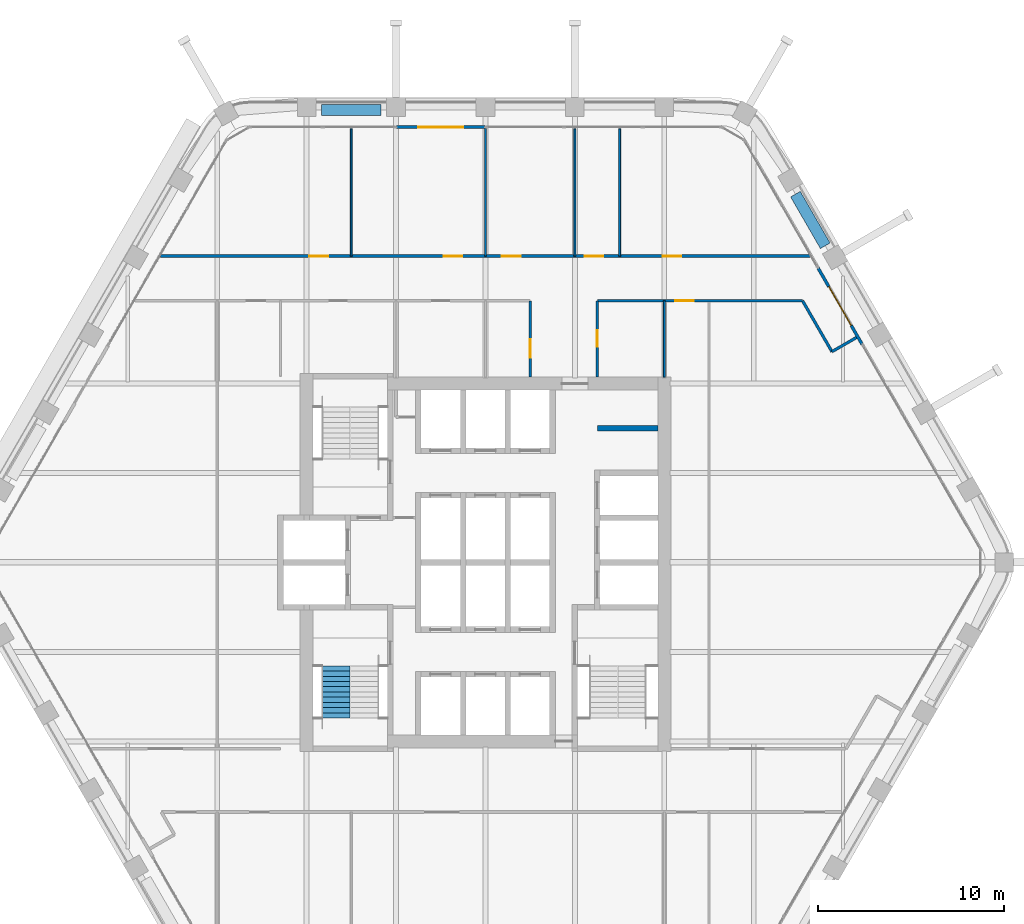
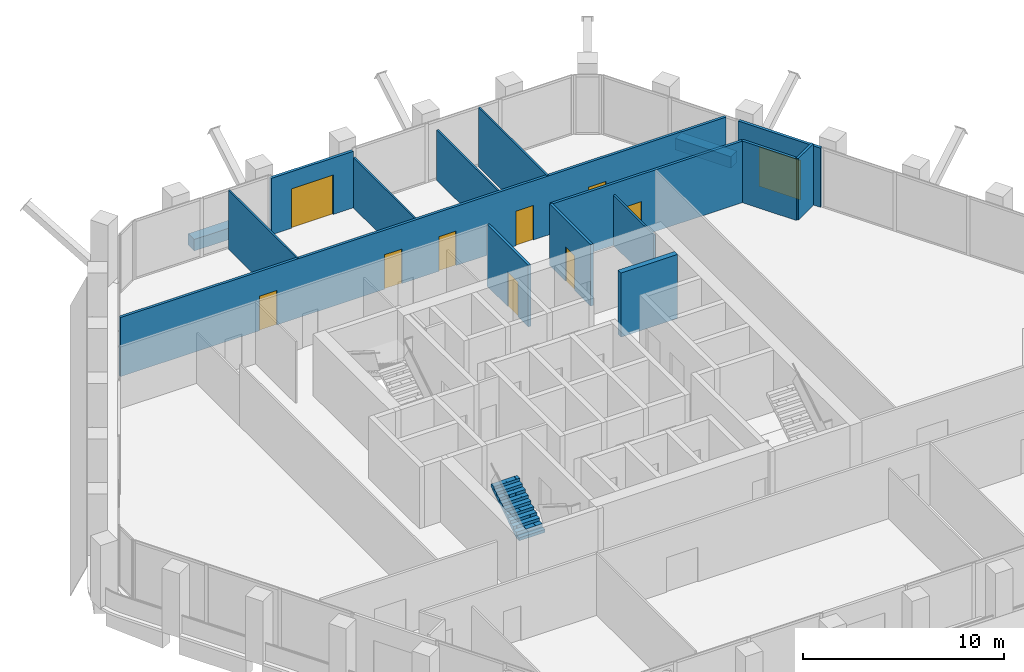
# One storey, part 12 of 16: 16 walls, 10 doors, 1 stair flight, 10 openings, 1 element without a shape of its own.
"""IFC4 building model written with IfcOpenShell, lengths in metres."""

from ifc_helpers import new_model, si_unit, direction, frame, frame_2d, origin, place, context, subcontext, project, spatial, polyline, rectangle, outline, extrude, material, layer, layer_set, type_object, element, fill, aggregate, save


model = new_model("IFC4")

# Units and contexts
model_context = context("Model", 3, precision=1e-05, world=origin(), true_north=direction((0.0, 1.0)))
body_context = subcontext(model_context, "Body", "Model", "MODEL_VIEW")
ifc_project = project(units=[si_unit("LENGTHUNIT", "METRE"), si_unit("AREAUNIT", "SQUARE_METRE"), si_unit("VOLUMEUNIT", "CUBIC_METRE"), si_unit("PLANEANGLEUNIT", "RADIAN"), si_unit("MASSUNIT", "GRAM", prefix="KILO")], contexts=[model_context])

# Site, building, storey
site_placement = place(None, origin())
site = spatial("IfcSite", under=ifc_project, at=site_placement, CompositionType="ELEMENT")
building_placement = place(site_placement, origin())
building = spatial("IfcBuilding", under=site, at=building_placement, Name="Kolab Exchange Tower", CompositionType="ELEMENT")
storey_placement = place(building_placement, frame((0.0, 0.0, 162.199951171875)))
storey = spatial("IfcBuildingStorey", under=building, at=storey_placement, Name="L33", CompositionType="ELEMENT", Elevation=162.199951171875)

# Wall, opening, door
ifc_material_1 = material(Name="Aluminium EN AW-6063 T6", Category="aluminium")
ifc_layer_1 = layer(ifc_material_1, 0.159912109375)
ifc_layer_set_1 = layer_set([ifc_layer_1], Name="Aluminium EN AW-6063 T6")
wall_type_1 = type_object("IfcWallType", Name="DOOR SURROUND WALL 160 ALUMINIUM FRAMED", PredefinedType="PARTITIONING", material=ifc_layer_set_1)
wall_1_placement = place(storey_placement, frame((-4.77001953125, 23.361572265625, 0.0), z_axis=(0.0, 0.0, 1.0), x_axis=(1.0, 0.0, 0.0)))
wall_1 = element("IfcWall", 1, at=wall_1_placement, inside=storey, type_object=wall_type_1, Name="Door surround wall", PredefinedType="PARTITIONING", context=body_context, shape_type="SweptSolid", body=[
    extrude(rectangle(XDim=4.739990234375, YDim=0.159912109375, at=frame_2d((2.3701171875, 0.0))), origin(), (0.0, 0.0, 1.0), 3.43994140625),
])
opening_1_placement = place(wall_1_placement, frame((1.169921875, 0.0, 0.0)))
opening_1 = element("IfcOpeningElement", 2, at=opening_1_placement, cuts=wall_1, Name="Opening GD1-077", PredefinedType="OPENING", context=body_context, shape_type="SweptSolid", body=[
    extrude(rectangle(XDim=2.39990234375, YDim=2.39990234375, at=frame_2d((1.199951171875, 1.199951171875))), frame((0.0, 0.08984375, 0.0), z_axis=(0.0, -1.0, 0.0), x_axis=(1.0, 0.0, 0.0)), (0.0, 0.0, 1.0), 0.179931640625),
])
door_type_1 = type_object("IfcDoorType", Name="LOGGIA SLIDING GLASS DOOR 2400 X 2400", OperationType="DOUBLE_DOOR_SINGLE_SWING", PredefinedType="DOOR", material=ifc_material_1)
door_1_placement = place(opening_1_placement, origin())
door_1 = element("IfcDoor", 3, at=door_1_placement, inside=storey, type_object=door_type_1, Name="Loggia door", OperationType="DOUBLE_DOOR_SLIDING", OverallHeight=2.39990234375, OverallWidth=2.39990234375, PredefinedType="DOOR", context=body_context, shape_type="SweptSolid", body=[
    extrude(rectangle(XDim=2.39990234375, YDim=2.39990234375, at=frame_2d((1.199951171875, 1.199951171875))), frame((0.0, 0.02490234375, 0.0), z_axis=(0.0, -1.0, 0.0), x_axis=(1.0, 0.0, 0.0)), (0.0, 0.0, 1.0), 0.050048828125),
])
fill(opening_1, door_1)

wall_2_placement = place(storey_placement, frame((17.8466796875, 15.811767578125, 0.0), z_axis=(0.0, 0.0, 1.0), x_axis=(0.5000167099, -0.866015756104, 0.0)))
wall_2 = element("IfcWall", 4, at=wall_2_placement, inside=storey, type_object=wall_type_1, Name="Door surround wall", PredefinedType="PARTITIONING", context=body_context, shape_type="SweptSolid", body=[
    extrude(rectangle(XDim=4.739990234375, YDim=0.159912109375, at=frame_2d((2.3701171875, 0.0))), origin(), (0.0, 0.0, 1.0), 3.60009765625),
])
opening_2_placement = place(wall_2_placement, frame((1.169921875, 0.0, 0.0)))
opening_2 = element("IfcOpeningElement", 5, at=opening_2_placement, cuts=wall_2, Name="Opening GD1-071", PredefinedType="OPENING", context=body_context, shape_type="SweptSolid", body=[
    extrude(rectangle(XDim=2.39990234375, YDim=2.39990234375, at=frame_2d((1.199951171875, 1.199951171875))), frame((0.0, 0.08984375, 0.0), z_axis=(0.0, -1.0, 0.0), x_axis=(1.0, 0.0, 0.0)), (0.0, 0.0, 1.0), 0.179931640625),
])
door_2_placement = place(opening_2_placement, origin())
door_2 = element("IfcDoor", 6, at=door_2_placement, inside=storey, type_object=door_type_1, Name="Loggia door", OperationType="DOUBLE_DOOR_SLIDING", OverallHeight=2.39990234375, OverallWidth=2.39990234375, PredefinedType="DOOR", context=body_context, shape_type="SweptSolid", body=[
    extrude(rectangle(XDim=2.39990234375, YDim=2.39990234375, at=frame_2d((1.199951171875, 1.199951171875))), frame((0.0, 0.02490234375, 0.0), z_axis=(0.0, -1.0, 0.0), x_axis=(1.0, 0.0, 0.0)), (0.0, 0.0, 1.0), 0.050048828125),
])
fill(opening_2, door_2)

# Walls
ifc_material_2 = material(Name="Concrete C50/60", Category="concrete")
ifc_layer_2 = layer(ifc_material_2, 0.300048828125)
ifc_layer_set_2 = layer_set([ifc_layer_2], Name="Concrete C50/60")
wall_type_2 = type_object("IfcWallType", Name="LIFT SHAFT WALL 300 C50/60", PredefinedType="STANDARD", material=ifc_layer_set_2)
wall_3_placement = place(storey_placement, frame((6.0, 7.199951171875, -0.14990234375), z_axis=(0.0, 0.0, 1.0), x_axis=(1.0, 0.0, 0.0)))
element("IfcWall", 7, at=wall_3_placement, inside=storey, type_object=wall_type_2, Name="wall/L33/core/030", PredefinedType="STANDARD", context=body_context, shape_type="SweptSolid", body=[
    extrude(rectangle(XDim=3.25, YDim=0.300048828125, at=frame_2d((1.625, 0.0))), origin(), (0.0, 0.0, 1.0), 3.89990234375),
])
ifc_material_3 = material(Name="Gypsum board", Category="gypsum")
ifc_layer_3 = layer(ifc_material_3, 0.10009765625)
ifc_layer_set_3 = layer_set([ifc_layer_3], Name="Gypsum board")
wall_type_3 = type_object("IfcWallType", Name="PARTITION 100", PredefinedType="PARTITIONING", material=ifc_layer_set_3)
wall_4_placement = place(storey_placement, frame((9.60009765625, 9.949951171875, 0.0), z_axis=(0.0, 0.0, 1.0), x_axis=(0.0, 1.0, 0.0)))
element("IfcWall", 8, at=wall_4_placement, inside=storey, type_object=wall_type_3, Name="Partition 003", PredefinedType="PARTITIONING", context=body_context, shape_type="SweptSolid", body=[
    extrude(rectangle(XDim=4.091552734375, YDim=0.10009765625, at=frame_2d((2.0458984375, 0.0))), origin(), (0.0, 0.0, 1.0), 3.066162109375),
])
wall_5_placement = place(storey_placement, frame((7.199951171875, 16.44140625, 0.0), z_axis=(0.0, 0.0, 1.0), x_axis=(0.0, 1.0, 0.0)))
element("IfcWall", 9, at=wall_5_placement, inside=storey, type_object=wall_type_3, Name="Partition 004", PredefinedType="PARTITIONING", context=body_context, shape_type="SweptSolid", body=[
    extrude(rectangle(XDim=6.830078125, YDim=0.10009765625, at=frame_2d((3.4150390625, 0.0))), origin(), (0.0, 0.0, 1.0), 3.60009765625),
])
wall_6_placement = place(storey_placement, frame((4.800048828125, 16.44140625, 0.0), z_axis=(0.0, 0.0, 1.0), x_axis=(0.0, 1.0, 0.0)))
element("IfcWall", 10, at=wall_6_placement, inside=storey, type_object=wall_type_3, Name="Partition 006", PredefinedType="PARTITIONING", context=body_context, shape_type="SweptSolid", body=[
    extrude(rectangle(XDim=6.830078125, YDim=0.10009765625, at=frame_2d((3.4150390625, 0.0))), origin(), (0.0, 0.0, 1.0), 3.066162109375),
])
wall_7_placement = place(storey_placement, frame((0.0, 16.44140625, 0.0), z_axis=(0.0, 0.0, 1.0), x_axis=(0.0, 1.0, 0.0)))
element("IfcWall", 11, at=wall_7_placement, inside=storey, type_object=wall_type_3, Name="Partition 009", PredefinedType="PARTITIONING", context=body_context, shape_type="SweptSolid", body=[
    extrude(rectangle(XDim=6.840087890625, YDim=0.10009765625, at=frame_2d((3.419921875, 0.0))), origin(), (0.0, 0.0, 1.0), 3.066162109375),
])
wall_8_placement = place(storey_placement, frame((-7.199951171875, 16.44140625, 0.0), z_axis=(0.0, 0.0, 1.0), x_axis=(0.0, 1.0, 0.0)))
element("IfcWall", 12, at=wall_8_placement, inside=storey, type_object=wall_type_3, Name="Partition 013", PredefinedType="PARTITIONING", context=body_context, shape_type="SweptSolid", body=[
    extrude(rectangle(XDim=6.830078125, YDim=0.10009765625, at=frame_2d((3.4150390625, 0.0))), origin(), (0.0, 0.0, 1.0), 3.60009765625),
])

# Wall, opening, door
ifc_layer_4 = layer(ifc_material_3, 0.14990234375)
ifc_layer_set_4 = layer_set([ifc_layer_4], Name="Gypsum board")
wall_type_4 = type_object("IfcWallType", Name="PARTITION 150 FIRE-RATED", PredefinedType="PARTITIONING", material=ifc_layer_set_4)
wall_9_placement = place(storey_placement, frame((6.0, 9.949951171875, 0.0), z_axis=(0.0, 0.0, 1.0), x_axis=(0.0, 1.0, 0.0)))
wall_9 = element("IfcWall", 13, at=wall_9_placement, inside=storey, type_object=wall_type_4, Name="Partition 005", PredefinedType="PARTITIONING", context=body_context, shape_type="SweptSolid", body=[
    extrude(rectangle(XDim=4.091552734375, YDim=0.14990234375, at=frame_2d((2.0458984375, 0.0))), origin(), (0.0, 0.0, 1.0), 3.75),
])
opening_3_placement = place(wall_9_placement, frame((1.620849609375, 0.0, 0.0)))
opening_3 = element("IfcOpeningElement", 14, at=opening_3_placement, cuts=wall_9, Name="Opening D3-045", PredefinedType="OPENING", context=body_context, shape_type="SweptSolid", body=[
    extrude(rectangle(XDim=0.89990234375, YDim=2.10009765625, at=frame_2d((0.449951171875, 1.050048828125))), frame((0.0, 0.0849609375, 0.0), z_axis=(0.0, -1.0, 0.0), x_axis=(1.0, 0.0, 0.0)), (0.0, 0.0, 1.0), 0.169921875),
])
ifc_material_4 = material(Name="Steel S235", Category="steel")
door_type_2 = type_object("IfcDoorType", Name="FLUSH DOOR 900 FD60", OperationType="SINGLE_SWING_LEFT", PredefinedType="DOOR", material=ifc_material_4)
door_3_placement = place(opening_3_placement, frame((0.89990234375, 0.0, 0.0), z_axis=(0.0, 0.0, 1.0), x_axis=(-1.0, 0.0, 0.0)))
door_3 = element("IfcDoor", 15, at=door_3_placement, inside=storey, type_object=door_type_2, Name="Door L33-029", OperationType="SINGLE_SWING_RIGHT", OverallHeight=2.10009765625, OverallWidth=0.89990234375, PredefinedType="DOOR", context=body_context, shape_type="SweptSolid", body=[
    extrude(rectangle(XDim=0.89990234375, YDim=2.10009765625, at=frame_2d((0.449951171875, 1.050048828125))), frame((0.0, 0.02490234375, 0.0), z_axis=(0.0, -1.0, 0.0), x_axis=(1.0, 0.0, 0.0)), (0.0, 0.0, 1.0), 0.050048828125),
])
fill(opening_3, door_3)

wall_10_placement = place(storey_placement, frame((2.39990234375, 9.949951171875, 0.0), z_axis=(0.0, 0.0, 1.0), x_axis=(0.0, 1.0, 0.0)))
wall_10 = element("IfcWall", 16, at=wall_10_placement, inside=storey, type_object=wall_type_4, Name="Partition 007", PredefinedType="PARTITIONING", context=body_context, shape_type="SweptSolid", body=[
    extrude(rectangle(XDim=4.091552734375, YDim=0.14990234375, at=frame_2d((2.0458984375, 0.0))), origin(), (0.0, 0.0, 1.0), 3.75),
])
opening_4_placement = place(wall_10_placement, frame((1.035400390625, 0.0, 0.0)))
opening_4 = element("IfcOpeningElement", 17, at=opening_4_placement, cuts=wall_10, Name="Opening D1-447", PredefinedType="OPENING", context=body_context, shape_type="SweptSolid", body=[
    extrude(rectangle(XDim=1.0, YDim=2.10009765625, at=frame_2d((0.5, 1.050048828125))), frame((0.0, 0.0849609375, 0.0), z_axis=(0.0, -1.0, 0.0), x_axis=(1.0, 0.0, 0.0)), (0.0, 0.0, 1.0), 0.169921875),
])
door_type_3 = type_object("IfcDoorType", Name="FLUSH DOOR 1000 FD60", OperationType="SINGLE_SWING_LEFT", PredefinedType="DOOR", material=ifc_material_4)
door_4_placement = place(opening_4_placement, origin())
door_4 = element("IfcDoor", 18, at=door_4_placement, inside=storey, type_object=door_type_3, Name="Door L33-032", OperationType="SINGLE_SWING_LEFT", OverallHeight=2.10009765625, OverallWidth=1.0, PredefinedType="DOOR", context=body_context, shape_type="SweptSolid", body=[
    extrude(rectangle(XDim=1.0, YDim=2.10009765625, at=frame_2d((0.5, 1.050048828125))), frame((0.0, 0.02490234375, 0.0), z_axis=(0.0, -1.0, 0.0), x_axis=(1.0, 0.0, 0.0)), (0.0, 0.0, 1.0), 0.050048828125),
])
fill(opening_4, door_4)

# Walls
wall_11_placement = place(storey_placement, frame((17.021240234375, 14.04150390625, 0.0), z_axis=(0.0, 0.0, 1.0), x_axis=(0.499957296199, -0.866050057432, 0.0)))
element("IfcWall", 19, at=wall_11_placement, inside=storey, type_object=wall_type_4, Name="Partition 018", PredefinedType="PARTITIONING", context=body_context, shape_type="SweptSolid", body=[
    extrude(rectangle(XDim=3.149658203125, YDim=0.14990234375, at=frame_2d((1.57470703125, 0.0))), origin(), (0.0, 0.0, 1.0), 3.75),
])
wall_12_placement = place(storey_placement, frame((18.595947265625, 11.313720703125, 0.0), z_axis=(0.0, 0.0, 1.0), x_axis=(0.866030456496, 0.499991248344, 0.0)))
element("IfcWall", 20, at=wall_12_placement, inside=storey, type_object=wall_type_4, Name="Partition 022", PredefinedType="PARTITIONING", context=body_context, shape_type="SweptSolid", body=[
    extrude(rectangle(XDim=1.52001953125, YDim=0.14990234375, at=frame_2d((0.760009765625, 0.0))), origin(), (0.0, 0.0, 1.0), 3.75),
])

# Wall, opening, door
wall_13_placement = place(storey_placement, frame((6.0, 14.04150390625, 0.0), z_axis=(0.0, 0.0, 1.0), x_axis=(1.0, 0.0, 0.0)))
wall_13 = element("IfcWall", 21, at=wall_13_placement, inside=storey, type_object=wall_type_4, Name="Partition 028", PredefinedType="PARTITIONING", context=body_context, shape_type="SweptSolid", body=[
    extrude(rectangle(XDim=11.021240234375, YDim=0.14990234375, at=frame_2d((5.5107421875, 0.0))), origin(), (0.0, 0.0, 1.0), 3.75),
])
opening_5_placement = place(wall_13_placement, frame((4.175048828125, 0.0, 0.0)))
opening_5 = element("IfcOpeningElement", 22, at=opening_5_placement, cuts=wall_13, Name="Opening D1-457", PredefinedType="OPENING", context=body_context, shape_type="SweptSolid", body=[
    extrude(rectangle(XDim=1.0, YDim=2.10009765625, at=frame_2d((0.5, 1.050048828125))), frame((0.0, 0.0849609375, 0.0), z_axis=(0.0, -1.0, 0.0), x_axis=(1.0, 0.0, 0.0)), (0.0, 0.0, 1.0), 0.169921875),
])
door_5_placement = place(opening_5_placement, frame((1.0, 0.0, 0.0), z_axis=(0.0, 0.0, 1.0), x_axis=(-1.0, 0.0, 0.0)))
door_5 = element("IfcDoor", 23, at=door_5_placement, inside=storey, type_object=door_type_3, Name="Door L33-043", OperationType="SINGLE_SWING_LEFT", OverallHeight=2.10009765625, OverallWidth=1.0, PredefinedType="DOOR", context=body_context, shape_type="SweptSolid", body=[
    extrude(rectangle(XDim=1.0, YDim=2.10009765625, at=frame_2d((0.5, 1.050048828125))), frame((0.0, 0.02490234375, 0.0), z_axis=(0.0, -1.0, 0.0), x_axis=(1.0, 0.0, 0.0)), (0.0, 0.0, 1.0), 0.050048828125),
])
fill(opening_5, door_5)

# Wall, openings, doors
wall_14_placement = place(storey_placement, frame((-17.43701171875, 16.44140625, 0.0), z_axis=(0.0, 0.0, 1.0), x_axis=(1.0, 0.0, 0.0)))
wall_14 = element("IfcWall", 24, at=wall_14_placement, inside=storey, type_object=wall_type_4, Name="Partition 029", PredefinedType="PARTITIONING", context=body_context, shape_type="SweptSolid", body=[
    extrude(rectangle(XDim=34.8740234375, YDim=0.14990234375, at=frame_2d((17.43701171875, 0.0))), origin(), (0.0, 0.0, 1.0), 3.60009765625),
])
opening_6_placement = place(wall_14_placement, frame((7.991943359375, 0.0, 0.0)))
opening_6 = element("IfcOpeningElement", 25, at=opening_6_placement, cuts=wall_14, Name="Opening D1-459", PredefinedType="OPENING", context=body_context, shape_type="SweptSolid", body=[
    extrude(rectangle(XDim=1.0, YDim=2.10009765625, at=frame_2d((0.5, 1.050048828125))), frame((0.0, 0.0849609375, 0.0), z_axis=(0.0, -1.0, 0.0), x_axis=(1.0, 0.0, 0.0)), (0.0, 0.0, 1.0), 0.169921875),
])
opening_7_placement = place(wall_14_placement, frame((15.19189453125, 0.0, 0.0)))
opening_7 = element("IfcOpeningElement", 26, at=opening_7_placement, cuts=wall_14, Name="Opening D1-460", PredefinedType="OPENING", context=body_context, shape_type="SweptSolid", body=[
    extrude(rectangle(XDim=1.0, YDim=2.10009765625, at=frame_2d((0.5, 1.050048828125))), frame((0.0, 0.0849609375, 0.0), z_axis=(0.0, -1.0, 0.0), x_axis=(1.0, 0.0, 0.0)), (0.0, 0.0, 1.0), 0.169921875),
])
opening_8_placement = place(wall_14_placement, frame((18.322021484375, 0.0, 0.0)))
opening_8 = element("IfcOpeningElement", 27, at=opening_8_placement, cuts=wall_14, Name="Opening D1-461", PredefinedType="OPENING", context=body_context, shape_type="SweptSolid", body=[
    extrude(rectangle(XDim=1.0, YDim=2.10009765625, at=frame_2d((0.5, 1.050048828125))), frame((0.0, 0.0849609375, 0.0), z_axis=(0.0, -1.0, 0.0), x_axis=(1.0, 0.0, 0.0)), (0.0, 0.0, 1.0), 0.169921875),
])
opening_9_placement = place(wall_14_placement, frame((22.761962890625, 0.0, 0.0)))
opening_9 = element("IfcOpeningElement", 28, at=opening_9_placement, cuts=wall_14, Name="Opening D1-462", PredefinedType="OPENING", context=body_context, shape_type="SweptSolid", body=[
    extrude(rectangle(XDim=1.0, YDim=2.10009765625, at=frame_2d((0.5, 1.050048828125))), frame((0.0, 0.0849609375, 0.0), z_axis=(0.0, -1.0, 0.0), x_axis=(1.0, 0.0, 0.0)), (0.0, 0.0, 1.0), 0.169921875),
])
opening_10_placement = place(wall_14_placement, frame((26.94189453125, 0.0, 0.0)))
opening_10 = element("IfcOpeningElement", 29, at=opening_10_placement, cuts=wall_14, Name="Opening D1-463", PredefinedType="OPENING", context=body_context, shape_type="SweptSolid", body=[
    extrude(rectangle(XDim=1.0, YDim=2.10009765625, at=frame_2d((0.5, 1.050048828125))), frame((0.0, 0.0849609375, 0.0), z_axis=(0.0, -1.0, 0.0), x_axis=(1.0, 0.0, 0.0)), (0.0, 0.0, 1.0), 0.169921875),
])
door_6_placement = place(opening_6_placement, origin())
door_6 = element("IfcDoor", 30, at=door_6_placement, inside=storey, type_object=door_type_3, Name="Door L33-033", OperationType="SINGLE_SWING_RIGHT", OverallHeight=2.10009765625, OverallWidth=1.0, PredefinedType="DOOR", context=body_context, shape_type="SweptSolid", body=[
    extrude(rectangle(XDim=1.0, YDim=2.10009765625, at=frame_2d((0.5, 1.050048828125))), frame((0.0, 0.02490234375, 0.0), z_axis=(0.0, -1.0, 0.0), x_axis=(1.0, 0.0, 0.0)), (0.0, 0.0, 1.0), 0.050048828125),
])
fill(opening_6, door_6)
door_7_placement = place(opening_7_placement, origin())
door_7 = element("IfcDoor", 31, at=door_7_placement, inside=storey, type_object=door_type_3, Name="Door L33-034", OperationType="SINGLE_SWING_RIGHT", OverallHeight=2.10009765625, OverallWidth=1.0, PredefinedType="DOOR", context=body_context, shape_type="SweptSolid", body=[
    extrude(rectangle(XDim=1.0, YDim=2.10009765625, at=frame_2d((0.5, 1.050048828125))), frame((0.0, 0.02490234375, 0.0), z_axis=(0.0, -1.0, 0.0), x_axis=(1.0, 0.0, 0.0)), (0.0, 0.0, 1.0), 0.050048828125),
])
fill(opening_7, door_7)
door_8_placement = place(opening_8_placement, origin())
door_8 = element("IfcDoor", 32, at=door_8_placement, inside=storey, type_object=door_type_3, Name="Door L33-035", OperationType="SINGLE_SWING_LEFT", OverallHeight=2.10009765625, OverallWidth=1.0, PredefinedType="DOOR", context=body_context, shape_type="SweptSolid", body=[
    extrude(rectangle(XDim=1.0, YDim=2.10009765625, at=frame_2d((0.5, 1.050048828125))), frame((0.0, 0.02490234375, 0.0), z_axis=(0.0, -1.0, 0.0), x_axis=(1.0, 0.0, 0.0)), (0.0, 0.0, 1.0), 0.050048828125),
])
fill(opening_8, door_8)
door_9_placement = place(opening_9_placement, origin())
door_9 = element("IfcDoor", 33, at=door_9_placement, inside=storey, type_object=door_type_3, Name="Door L33-036", OperationType="SINGLE_SWING_LEFT", OverallHeight=2.10009765625, OverallWidth=1.0, PredefinedType="DOOR", context=body_context, shape_type="SweptSolid", body=[
    extrude(rectangle(XDim=1.0, YDim=2.10009765625, at=frame_2d((0.5, 1.050048828125))), frame((0.0, 0.02490234375, 0.0), z_axis=(0.0, -1.0, 0.0), x_axis=(1.0, 0.0, 0.0)), (0.0, 0.0, 1.0), 0.050048828125),
])
fill(opening_9, door_9)
door_10_placement = place(opening_10_placement, origin())
door_10 = element("IfcDoor", 34, at=door_10_placement, inside=storey, type_object=door_type_3, Name="Door L33-037", OperationType="SINGLE_SWING_LEFT", OverallHeight=2.10009765625, OverallWidth=1.0, PredefinedType="DOOR", context=body_context, shape_type="SweptSolid", body=[
    extrude(rectangle(XDim=1.0, YDim=2.10009765625, at=frame_2d((0.5, 1.050048828125))), frame((0.0, 0.02490234375, 0.0), z_axis=(0.0, -1.0, 0.0), x_axis=(1.0, 0.0, 0.0)), (0.0, 0.0, 1.0), 0.050048828125),
])
fill(opening_10, door_10)

# Walls
ifc_material_5 = material(Name="Granite facing", Category="masonry")
ifc_layer_5 = layer(ifc_material_5, 0.0400390625)
ifc_material_6 = material(Name="Concrete C40/50 precast", Category="concrete")
ifc_layer_6 = layer(ifc_material_6, 0.56005859375)
ifc_layer_set_5 = layer_set([ifc_layer_5, ifc_layer_6], Name="Concrete C40/50 precast")
wall_type_5 = type_object("IfcWallType", Name="PLANTER BOX 600 X 700 SOIL DEPTH 550", PredefinedType="USERDEFINED", material=ifc_layer_set_5)
for number, where, z_axis, x_axis, name in (
    (35, (-8.800048828125, 24.29150390625, 0.0), (0.0, 0.0, 1.0), (1.0, 0.0, 0.0), "Planter"),
    (36, (16.636962890625, 19.766845703125, 0.0), (0.0, 0.0, 1.0), (0.500028443584, -0.866008981251, 0.0), "Planter"),
):
    element("IfcWall", number, at=place(storey_placement, frame(where, z_axis=z_axis, x_axis=x_axis)), inside=storey, type_object=wall_type_5, Name=name, ObjectType="PLANTER", PredefinedType="USERDEFINED", context=body_context, shape_type="SweptSolid", body=[
        extrude(rectangle(XDim=3.199951171875, YDim=0.60009765625, at=frame_2d((1.60009765625, 0.0))), origin(), (0.0, 0.0, 1.0), 0.699951171875),
    ])

# Stair, stair flight
stair_type = type_object("IfcStairType", Name="STAIR ST3 RISER 177.3", PredefinedType="HALF_TURN_STAIR", material=ifc_material_2)
stair_placement = place(storey_placement, origin())
stair = element("IfcStair", 37, at=stair_placement, inside=storey, type_object=stair_type, Name="Stair 3", PredefinedType="HALF_TURN_STAIR")
stair_flight_type = type_object("IfcStairFlightType", Name="STAIR FLIGHT 1500 RISER 177.3", PredefinedType="STRAIGHT", material=ifc_material_2)
stair_flight_placement = place(storey_placement, frame((-8.010009765625, -8.35009765625, 1.949951171875), z_axis=(0.0, 0.0, 1.0), x_axis=(0.0, 1.0, 0.0)))
stair_flight = element("IfcStairFlight", 38, at=stair_flight_placement, type_object=stair_flight_type, Name="ST3 flight 2", NumberOfRisers=11, NumberOfTreads=10, PredefinedType="STRAIGHT", RiserHeight=0.177272727, TreadLength=0.28, context=body_context, shape_type="SweptSolid", body=[
    extrude(outline(polyline([(0.0, 0.0), (0.0, 0.17724609375), (0.280029296875, 0.17724609375), (0.280029296875, 0.3544921875), (0.56005859375, 0.3544921875), (0.56005859375, 0.53173828125), (0.840087890625, 0.53173828125), (0.840087890625, 0.708984375), (1.1201171875, 0.708984375), (1.1201171875, 0.886474609375), (1.39990234375, 0.886474609375), (1.39990234375, 1.063720703125), (1.679931640625, 1.063720703125), (1.679931640625, 1.240966796875), (1.9599609375, 1.240966796875), (1.9599609375, 1.418212890625), (2.239990234375, 1.418212890625), (2.239990234375, 1.595458984375), (2.52001953125, 1.595458984375), (2.52001953125, 1.772705078125), (2.800048828125, 1.772705078125), (2.800048828125, 1.949951171875), (2.800048828125, 1.59521484375), (0.2802734375, 0.0), (0.0, 0.0)])), frame((0.0, 0.75, 0.0), z_axis=(0.0, -1.0, 0.0), x_axis=(1.0, 0.0, 0.0)), (0.0, 0.0, 1.0), 0.185791015625),
    extrude(outline(polyline([(0.0, 0.0), (0.0, 0.17724609375), (0.280029296875, 0.17724609375), (0.280029296875, 0.3544921875), (0.56005859375, 0.3544921875), (0.56005859375, 0.53173828125), (0.840087890625, 0.53173828125), (0.840087890625, 0.708984375), (1.1201171875, 0.708984375), (1.1201171875, 0.886474609375), (1.39990234375, 0.886474609375), (1.39990234375, 1.063720703125), (1.679931640625, 1.063720703125), (1.679931640625, 1.240966796875), (1.9599609375, 1.240966796875), (1.9599609375, 1.418212890625), (2.239990234375, 1.418212890625), (2.239990234375, 1.595458984375), (2.52001953125, 1.595458984375), (2.52001953125, 1.772705078125), (2.800048828125, 1.772705078125), (2.800048828125, 1.949951171875), (2.800048828125, 1.59521484375), (0.2802734375, 0.0), (0.0, 0.0)])), frame((0.0, 0.562255859375, 0.0), z_axis=(0.0, -1.0, 0.0), x_axis=(1.0, 0.0, 0.0)), (0.0, 0.0, 1.0), 0.185791015625),
    extrude(outline(polyline([(0.0, 0.0), (0.0, 0.17724609375), (0.280029296875, 0.17724609375), (0.280029296875, 0.3544921875), (0.56005859375, 0.3544921875), (0.56005859375, 0.53173828125), (0.840087890625, 0.53173828125), (0.840087890625, 0.708984375), (1.1201171875, 0.708984375), (1.1201171875, 0.886474609375), (1.39990234375, 0.886474609375), (1.39990234375, 1.063720703125), (1.679931640625, 1.063720703125), (1.679931640625, 1.240966796875), (1.9599609375, 1.240966796875), (1.9599609375, 1.418212890625), (2.239990234375, 1.418212890625), (2.239990234375, 1.595458984375), (2.52001953125, 1.595458984375), (2.52001953125, 1.772705078125), (2.800048828125, 1.772705078125), (2.800048828125, 1.949951171875), (2.800048828125, 1.59521484375), (0.2802734375, 0.0), (0.0, 0.0)])), frame((0.0, 0.37451171875, 0.0), z_axis=(0.0, -1.0, 0.0), x_axis=(1.0, 0.0, 0.0)), (0.0, 0.0, 1.0), 0.185791015625),
    extrude(outline(polyline([(0.0, 0.0), (0.0, 0.17724609375), (0.280029296875, 0.17724609375), (0.280029296875, 0.3544921875), (0.56005859375, 0.3544921875), (0.56005859375, 0.53173828125), (0.840087890625, 0.53173828125), (0.840087890625, 0.708984375), (1.1201171875, 0.708984375), (1.1201171875, 0.886474609375), (1.39990234375, 0.886474609375), (1.39990234375, 1.063720703125), (1.679931640625, 1.063720703125), (1.679931640625, 1.240966796875), (1.9599609375, 1.240966796875), (1.9599609375, 1.418212890625), (2.239990234375, 1.418212890625), (2.239990234375, 1.595458984375), (2.52001953125, 1.595458984375), (2.52001953125, 1.772705078125), (2.800048828125, 1.772705078125), (2.800048828125, 1.949951171875), (2.800048828125, 1.59521484375), (0.2802734375, 0.0), (0.0, 0.0)])), frame((0.0, 0.186767578125, 0.0), z_axis=(0.0, -1.0, 0.0), x_axis=(1.0, 0.0, 0.0)), (0.0, 0.0, 1.0), 0.185791015625),
    extrude(outline(polyline([(0.0, 0.0), (0.0, 0.17724609375), (0.280029296875, 0.17724609375), (0.280029296875, 0.3544921875), (0.56005859375, 0.3544921875), (0.56005859375, 0.53173828125), (0.840087890625, 0.53173828125), (0.840087890625, 0.708984375), (1.1201171875, 0.708984375), (1.1201171875, 0.886474609375), (1.39990234375, 0.886474609375), (1.39990234375, 1.063720703125), (1.679931640625, 1.063720703125), (1.679931640625, 1.240966796875), (1.9599609375, 1.240966796875), (1.9599609375, 1.418212890625), (2.239990234375, 1.418212890625), (2.239990234375, 1.595458984375), (2.52001953125, 1.595458984375), (2.52001953125, 1.772705078125), (2.800048828125, 1.772705078125), (2.800048828125, 1.949951171875), (2.800048828125, 1.59521484375), (0.2802734375, 0.0), (0.0, 0.0)])), frame((0.0, -0.0009765625, 0.0), z_axis=(0.0, -1.0, 0.0), x_axis=(1.0, 0.0, 0.0)), (0.0, 0.0, 1.0), 0.185791015625),
    extrude(outline(polyline([(0.0, 0.0), (0.0, 0.17724609375), (0.280029296875, 0.17724609375), (0.280029296875, 0.3544921875), (0.56005859375, 0.3544921875), (0.56005859375, 0.53173828125), (0.840087890625, 0.53173828125), (0.840087890625, 0.708984375), (1.1201171875, 0.708984375), (1.1201171875, 0.886474609375), (1.39990234375, 0.886474609375), (1.39990234375, 1.063720703125), (1.679931640625, 1.063720703125), (1.679931640625, 1.240966796875), (1.9599609375, 1.240966796875), (1.9599609375, 1.418212890625), (2.239990234375, 1.418212890625), (2.239990234375, 1.595458984375), (2.52001953125, 1.595458984375), (2.52001953125, 1.772705078125), (2.800048828125, 1.772705078125), (2.800048828125, 1.949951171875), (2.800048828125, 1.59521484375), (0.2802734375, 0.0), (0.0, 0.0)])), frame((0.0, -0.188720703125, 0.0), z_axis=(0.0, -1.0, 0.0), x_axis=(1.0, 0.0, 0.0)), (0.0, 0.0, 1.0), 0.185791015625),
    extrude(outline(polyline([(0.0, 0.0), (0.0, 0.17724609375), (0.280029296875, 0.17724609375), (0.280029296875, 0.3544921875), (0.56005859375, 0.3544921875), (0.56005859375, 0.53173828125), (0.840087890625, 0.53173828125), (0.840087890625, 0.708984375), (1.1201171875, 0.708984375), (1.1201171875, 0.886474609375), (1.39990234375, 0.886474609375), (1.39990234375, 1.063720703125), (1.679931640625, 1.063720703125), (1.679931640625, 1.240966796875), (1.9599609375, 1.240966796875), (1.9599609375, 1.418212890625), (2.239990234375, 1.418212890625), (2.239990234375, 1.595458984375), (2.52001953125, 1.595458984375), (2.52001953125, 1.772705078125), (2.800048828125, 1.772705078125), (2.800048828125, 1.949951171875), (2.800048828125, 1.59521484375), (0.2802734375, 0.0), (0.0, 0.0)])), frame((0.0, -0.37646484375, 0.0), z_axis=(0.0, -1.0, 0.0), x_axis=(1.0, 0.0, 0.0)), (0.0, 0.0, 1.0), 0.185791015625),
    extrude(outline(polyline([(0.0, 0.0), (0.0, 0.17724609375), (0.280029296875, 0.17724609375), (0.280029296875, 0.3544921875), (0.56005859375, 0.3544921875), (0.56005859375, 0.53173828125), (0.840087890625, 0.53173828125), (0.840087890625, 0.708984375), (1.1201171875, 0.708984375), (1.1201171875, 0.886474609375), (1.39990234375, 0.886474609375), (1.39990234375, 1.063720703125), (1.679931640625, 1.063720703125), (1.679931640625, 1.240966796875), (1.9599609375, 1.240966796875), (1.9599609375, 1.418212890625), (2.239990234375, 1.418212890625), (2.239990234375, 1.595458984375), (2.52001953125, 1.595458984375), (2.52001953125, 1.772705078125), (2.800048828125, 1.772705078125), (2.800048828125, 1.949951171875), (2.800048828125, 1.59521484375), (0.2802734375, 0.0), (0.0, 0.0)])), frame((0.0, -0.564208984375, 0.0), z_axis=(0.0, -1.0, 0.0), x_axis=(1.0, 0.0, 0.0)), (0.0, 0.0, 1.0), 0.185791015625),
])
aggregate(stair, [stair_flight])

save(model, "model.ifc")
